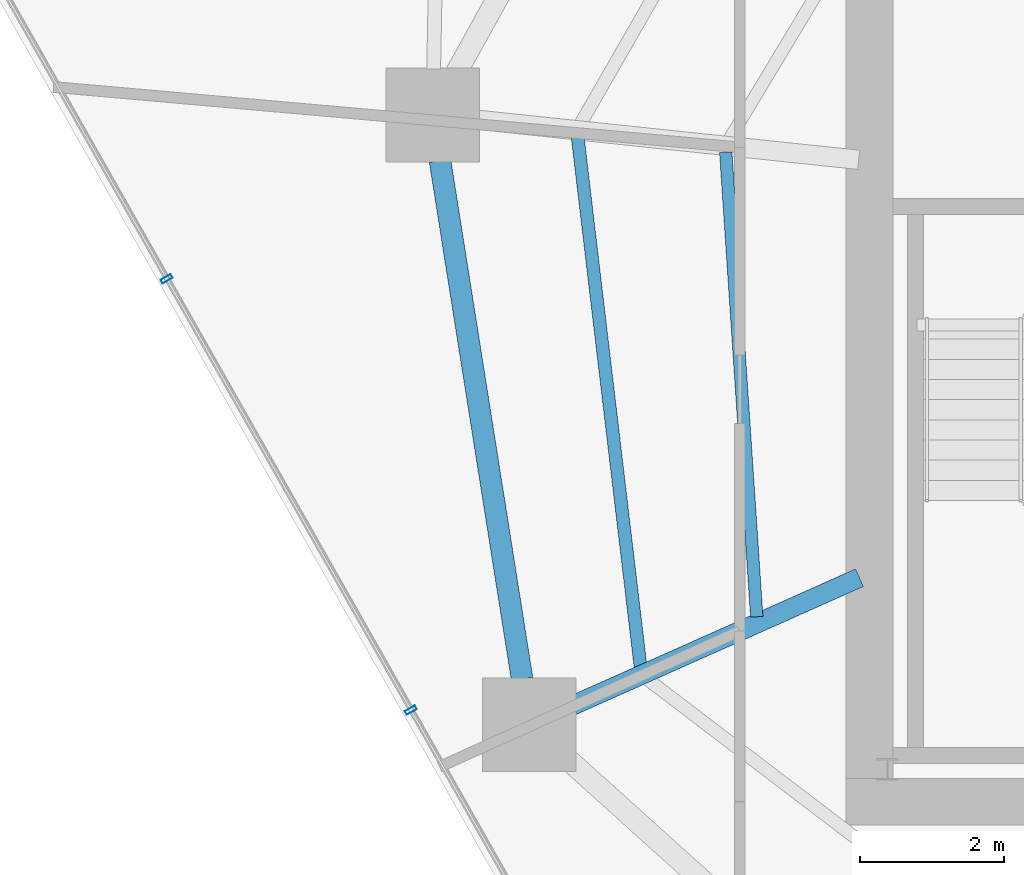
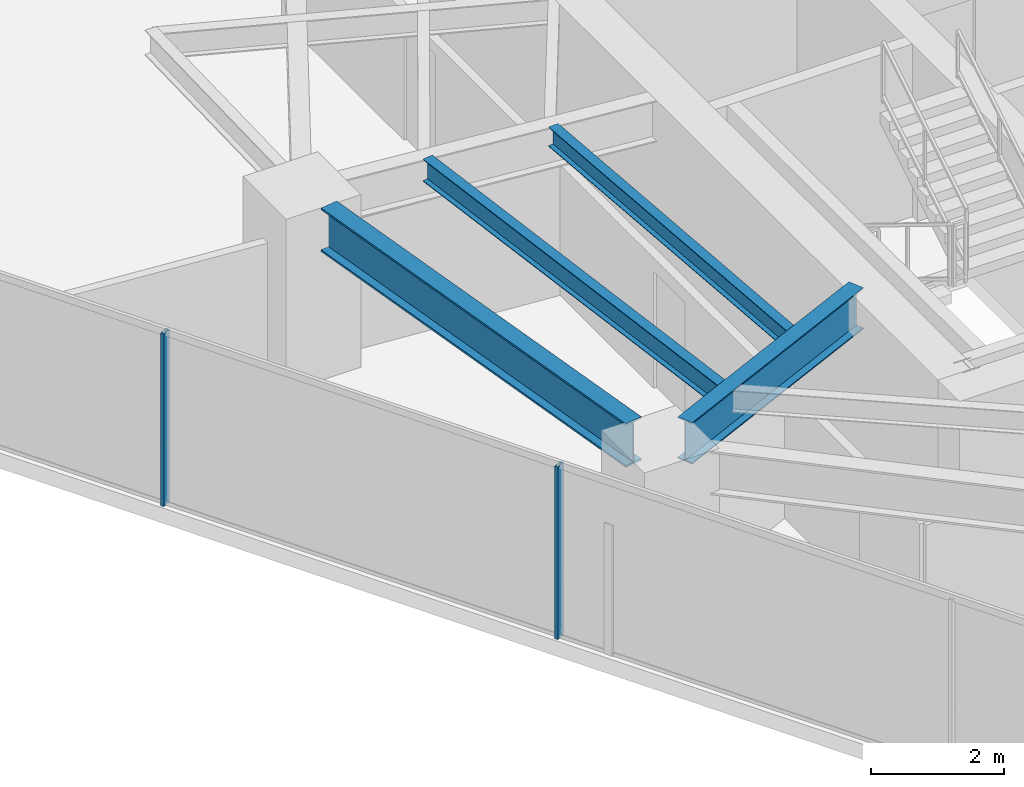
# One storey, part 8 of 31: 4 beams, 2 members, 1 element without a shape of its own.
"""IFC4 building model written with IfcOpenShell, lengths in metres."""

from ifc_helpers import new_model, si_unit, direction, frame, origin, origin_2d, place, context, subcontext, project, spatial, hollow_rectangle, i_section, extrude, material, layer, layer_set, material_profile, profile_set, type_object, element, aggregate, save


model = new_model("IFC4")

# Units and contexts
model_context = context("Model", 3, precision=1e-05, world=origin(), true_north=direction((0.0, 1.0)))
body_context = subcontext(model_context, "Body", "Model", "MODEL_VIEW")
ifc_project = project(units=[si_unit("LENGTHUNIT", "METRE"), si_unit("AREAUNIT", "SQUARE_METRE"), si_unit("VOLUMEUNIT", "CUBIC_METRE"), si_unit("PLANEANGLEUNIT", "RADIAN"), si_unit("MASSUNIT", "GRAM", prefix="KILO")], contexts=[model_context])

# Site, building, storey
site_placement = place(None, origin())
site = spatial("IfcSite", under=ifc_project, at=site_placement, CompositionType="ELEMENT")
building_placement = place(site_placement, origin())
building = spatial("IfcBuilding", under=site, at=building_placement, Name="Qarnah Convention Tower", CompositionType="ELEMENT")
storey_placement = place(building_placement, frame((0.0, 0.0, 64.949951171875)))
storey = spatial("IfcBuildingStorey", under=building, at=storey_placement, Name="L16", CompositionType="ELEMENT", Elevation=64.949951171875)

# Beams
ifc_material_1 = material(Name="Structural steel S355JR", Category="steel")
ifc_material_profile_1 = material_profile(ifc_material_1, i_section(OverallWidth=0.172119140625, OverallDepth=0.35595703125, WebThickness=0.007080078125, FlangeThickness=0.011962890625, at=origin_2d()), Name="W360X51")
ifc_profile_set_1 = profile_set([ifc_material_profile_1], Name="Structural steel S355JR")
beam_type_1 = type_object("IfcBeamType", Name="BM-JST-W360", PredefinedType="JOIST", material=ifc_profile_set_1)
beam_1_placement = place(storey_placement, frame((24.806884765625, 27.613037109375, 2.991943359375), z_axis=(0.066586732153, -0.997780640773, 0.0), x_axis=(0.997780640773, 0.066586732153, 0.0)))
element("IfcBeam", 1, at=beam_1_placement, inside=storey, type_object=beam_type_1, Name="L16 joist BM-L16-IJST-05", PredefinedType="JOIST", context=body_context, shape_type="SweptSolid", body=[
    extrude(i_section(OverallWidth=0.172119140625, OverallDepth=0.35595703125, WebThickness=0.007080078125, FlangeThickness=0.011962890625, at=origin_2d()), origin(), (0.0, 0.0, 1.0), 6.46044921875),
])
ifc_material_profile_2 = material_profile(ifc_material_1, i_section(OverallWidth=0.177978515625, OverallDepth=0.407958984375, WebThickness=0.008056640625, FlangeThickness=0.012939453125, at=origin_2d()), Name="W410X60")
ifc_profile_set_2 = profile_set([ifc_material_profile_2], Name="Structural steel S355JR")
beam_type_2 = type_object("IfcBeamType", Name="BM-JST-W410", PredefinedType="JOIST", material=ifc_profile_set_2)
beam_2_placement = place(storey_placement, frame((22.7509765625, 27.8310546875, 2.966064453125), z_axis=(0.117866605608, -0.993029437269, 0.0), x_axis=(0.993029437269, 0.117866605608, 0.0)))
element("IfcBeam", 2, at=beam_2_placement, inside=storey, type_object=beam_type_2, Name="L16 joist BM-L16-SJST-05", PredefinedType="JOIST", context=body_context, shape_type="SweptSolid", body=[
    extrude(i_section(OverallWidth=0.177978515625, OverallDepth=0.407958984375, WebThickness=0.008056640625, FlangeThickness=0.012939453125, at=origin_2d()), origin(), (0.0, 0.0, 1.0), 7.431884765625),
])
ifc_material_profile_3 = material_profile(ifc_material_1, i_section(OverallWidth=0.26806640625, OverallDepth=0.760009765625, WebThickness=0.014892578125, FlangeThickness=0.02197265625, at=origin_2d()), Name="W760X185")
ifc_profile_set_3 = profile_set([ifc_material_profile_3], Name="Structural steel S355JR")
beam_type_3 = type_object("IfcBeamType", Name="BM-RAD-W760", PredefinedType="BEAM", material=ifc_profile_set_3)
beam_3_placement = place(storey_placement, frame((26.6630859375, 21.708984375, 2.7900390625), z_axis=(-0.913519753242, -0.406794371195, 0.0), x_axis=(0.406794371195, -0.913519753242, 0.0)))
element("IfcBeam", 3, at=beam_3_placement, inside=storey, type_object=beam_type_3, Name="L16 beam BM-L16-RAD-06", PredefinedType="BEAM", context=body_context, shape_type="SweptSolid", body=[
    extrude(i_section(OverallWidth=0.26806640625, OverallDepth=0.760009765625, WebThickness=0.014892578125, FlangeThickness=0.02197265625, at=origin_2d()), origin(), (0.0, 0.0, 1.0), 4.38525390625),
])
ifc_material_profile_4 = material_profile(ifc_material_1, i_section(OverallWidth=0.300048828125, OverallDepth=0.800048828125, WebThickness=0.01806640625, FlangeThickness=0.032958984375, at=origin_2d()), Name="HEB800")
ifc_profile_set_4 = profile_set([ifc_material_profile_4], Name="Structural steel S355JR")
beam_type_4 = type_object("IfcBeamType", Name="BM-RING-HEB800", PredefinedType="BEAM", material=ifc_profile_set_4)
beam_4_placement = place(storey_placement, frame((20.841064453125, 27.498046875, 2.77001953125), z_axis=(0.156433977502, -0.987688417814, 0.0), x_axis=(0.987688417814, 0.156433977502, 0.0)))
element("IfcBeam", 4, at=beam_4_placement, inside=storey, type_object=beam_type_4, Name="L16 beam BM-L16-SPN-05", PredefinedType="BEAM", context=body_context, shape_type="SweptSolid", body=[
    extrude(i_section(OverallWidth=0.300048828125, OverallDepth=0.800048828125, WebThickness=0.01806640625, FlangeThickness=0.032958984375, at=origin_2d()), origin(), (0.0, 0.0, 1.0), 7.28662109375),
])

# Curtain wall, members
ifc_material_2 = material(Name="Tempered Low-E dark glass", Category="glass")
ifc_layer = layer(ifc_material_2, 0.16796875)
ifc_layer_set = layer_set([ifc_layer], Name="Tempered Low-E dark glass")
curtain_wall_type = type_object("IfcCurtainWallType", Name="CWS-01", PredefinedType="NOTDEFINED", material=ifc_layer_set)
curtain_wall_placement = place(storey_placement, origin())
curtain_wall = element("IfcCurtainWall", 5, at=curtain_wall_placement, inside=storey, type_object=curtain_wall_type, Name="L16 unitised curtain wall CW-L16-F3", PredefinedType="NOTDEFINED")
ifc_material_3 = material(Name="Black anodised aluminium", Category="aluminium")
ifc_material_profile_5 = material_profile(ifc_material_3, hollow_rectangle(XDim=0.06005859375, YDim=0.159912109375, WallThickness=0.00390625, at=origin_2d()), Name="MUL-60X160")
ifc_profile_set_5 = profile_set([ifc_material_profile_5], Name="Black anodised aluminium")
member_type = type_object("IfcMemberType", Name="MUL-T1", PredefinedType="MULLION", material=ifc_profile_set_5)
member_1_placement = place(storey_placement, frame((20.437255859375, 19.87158203125, 0.0), z_axis=(0.0, 0.0, 1.0), x_axis=(-0.492728662866, 0.870183006493, 0.0)))
member_1 = element("IfcMember", 6, at=member_1_placement, type_object=member_type, Name="CW-L16-F3 mullion 4", PredefinedType="MULLION", context=body_context, shape_type="SweptSolid", body=[
    extrude(hollow_rectangle(XDim=0.06005859375, YDim=0.159912109375, WallThickness=0.00390625, at=origin_2d()), origin(), (0.0, 0.0, 1.0), 3.170166015625),
])
member_2_placement = place(storey_placement, frame((17.047607421875, 25.85791015625, 0.0), z_axis=(0.0, 0.0, 1.0), x_axis=(-0.492728662866, 0.870183006493, 0.0)))
member_2 = element("IfcMember", 7, at=member_2_placement, type_object=member_type, Name="CW-L16-F3 mullion 5", PredefinedType="MULLION", context=body_context, shape_type="SweptSolid", body=[
    extrude(hollow_rectangle(XDim=0.06005859375, YDim=0.159912109375, WallThickness=0.00390625, at=origin_2d()), origin(), (0.0, 0.0, 1.0), 3.170166015625),
])
aggregate(curtain_wall, [member_1, member_2])

save(model, "model.ifc")
